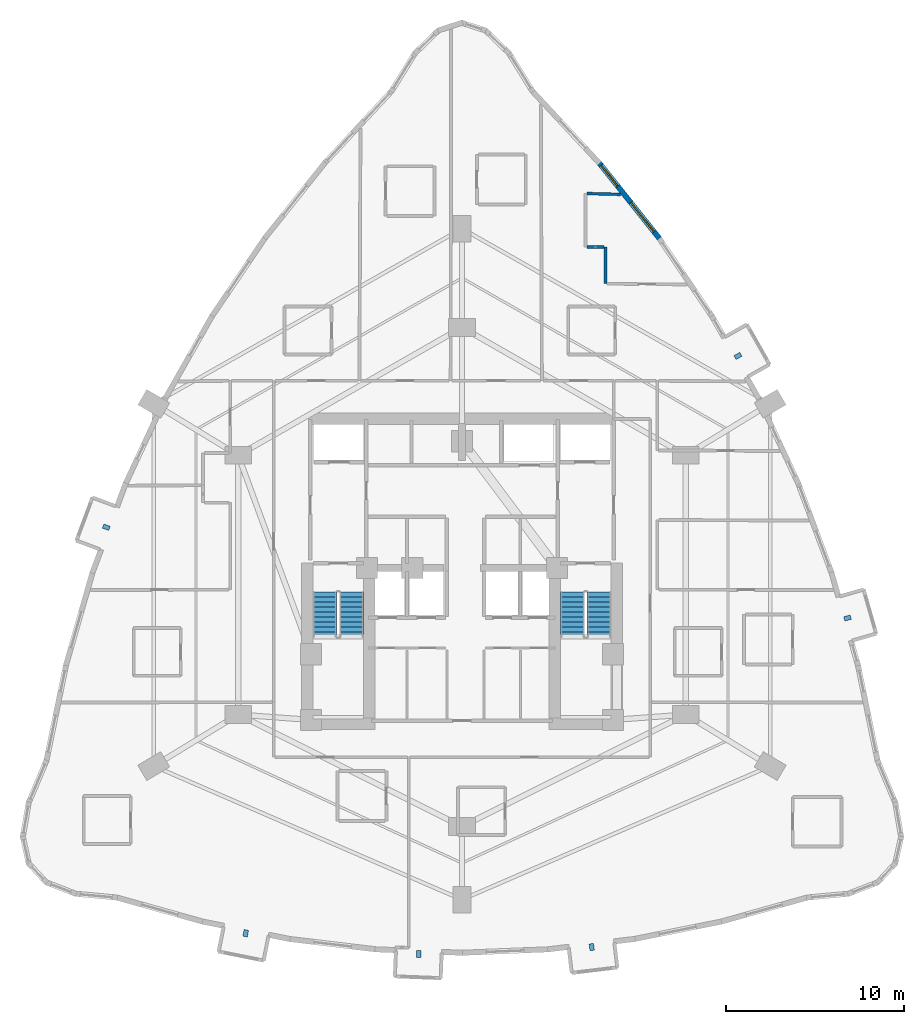
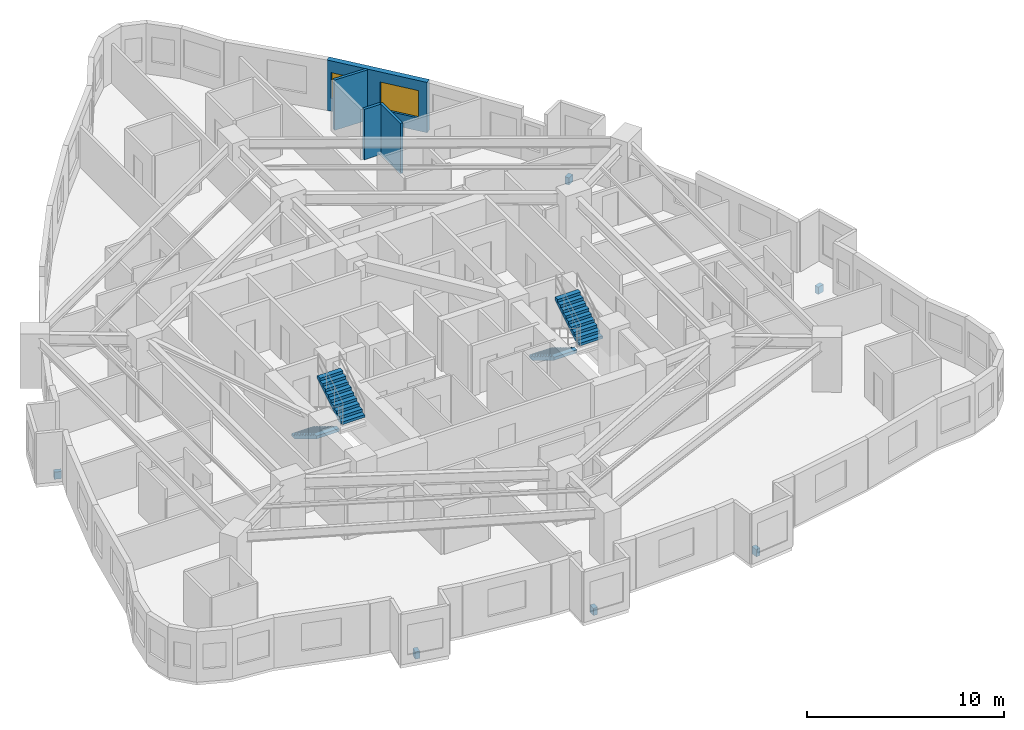
# One storey, part 12 of 13: 6 discrete accessories, 4 stair flights, 4 walls, 2 windows, 2 openings, 2 elements without a shape of their own.
"""IFC4 building model written with IfcOpenShell, lengths in metres."""

import ifcopenshell
import ifcopenshell.guid

model = None  # the IFC model being written
_history = None  # IfcOwnerHistory: only IFC2X3 demands one
_inside = {}  # id of a spatial element -> (the spatial element, [elements in it])
_under = {}  # id of a project, library or spatial element -> (it, [spatial elements below it])
_declared = {}  # id of a project -> (the project, [libraries it declares])
_typed = {}  # id of a type object -> (the type object, [elements of that type])
_made_of = {}  # id of a material, layer set ... -> (it, [elements and type objects made of it])


def new_model(schema):
    """Start an empty IFC model of exactly this schema.

    Asked for "IFC4X3", IfcOpenShell would pick the latest addendum, in which some entities
    have other attributes; the version numbers below select the first issue.
    IFC2X3 requires an IfcOwnerHistory on every rooted entity: one is made here for all.
    """
    global model, _history
    if schema == "IFC4X3":
        model = ifcopenshell.file(schema_version=(4, 3, 0, 0))
    else:
        model = ifcopenshell.file(schema=schema)
    _inside.clear()
    _under.clear()
    _declared.clear()
    _typed.clear()
    _made_of.clear()
    _history = None
    if model.schema == "IFC2X3":
        org = make("IfcOrganization", Name="unknown")
        user = make(
            "IfcPersonAndOrganization",
            ThePerson=make("IfcPerson", FamilyName="unknown"),
            TheOrganization=org,
        )
        app = make(
            "IfcApplication",
            ApplicationDeveloper=org,
            Version="unknown",
            ApplicationFullName="unknown",
            ApplicationIdentifier="unknown",
        )
        _history = make(
            "IfcOwnerHistory",
            OwningUser=user,
            OwningApplication=app,
            ChangeAction="ADDED",
            CreationDate=0,
        )
    return model


def make(cls, **values):
    """One entity of the class cls with the attributes given. An attribute that is None is left unset."""
    return model.create_entity(
        cls, **{name: value for name, value in values.items() if value is not None}
    )


def rooted(cls, **values):
    """An entity with a GlobalId (a new one), such as an element, a storey or a relation."""
    return make(cls, GlobalId=ifcopenshell.guid.new(), OwnerHistory=_history, **values)


def si_unit(unit_type, name, prefix=None):
    """IfcSIUnit, for example si_unit("LENGTHUNIT", "METRE", prefix="MILLI")."""
    return make("IfcSIUnit", UnitType=unit_type, Prefix=prefix, Name=name)


def assignment(units):
    """IfcUnitAssignment: the units of a project."""
    return None if units is None else make("IfcUnitAssignment", Units=units)


def point(xyz):
    """IfcCartesianPoint."""
    return None if xyz is None else make("IfcCartesianPoint", Coordinates=xyz)


def direction(xyz):
    """IfcDirection."""
    return None if xyz is None else make("IfcDirection", DirectionRatios=xyz)


def frame(location, z_axis=None, x_axis=None):
    """IfcAxis2Placement3D, a coordinate frame: its origin and axes. An axis left out is left unset."""
    return make(
        "IfcAxis2Placement3D",
        Location=point(location),
        Axis=direction(z_axis),
        RefDirection=direction(x_axis),
    )


def frame_2d(location, x_axis=None):
    """IfcAxis2Placement2D, a coordinate frame in the plane: its origin and x axis."""
    return make(
        "IfcAxis2Placement2D", Location=point(location), RefDirection=direction(x_axis)
    )


def origin():
    """The frame at (0, 0, 0) with its axes left unset."""
    return frame((0.0, 0.0, 0.0))


def origin_2d():
    """The frame at (0, 0) in the plane with its x axis left unset."""
    return frame_2d((0.0, 0.0))


def place(relative_to, where):
    """IfcLocalPlacement: puts the frame where relative to a parent placement (None: the world)."""
    return make(
        "IfcLocalPlacement", PlacementRelTo=relative_to, RelativePlacement=where
    )


def context(
    kind, dimensions, precision=None, world=None, true_north=None, identifier=None
):
    """IfcGeometricRepresentationContext, for example the 3D "Model" context."""
    return make(
        "IfcGeometricRepresentationContext",
        ContextIdentifier=identifier,
        ContextType=kind,
        CoordinateSpaceDimension=dimensions,
        Precision=precision,
        WorldCoordinateSystem=world,
        TrueNorth=true_north,
    )


def subcontext(parent, identifier, kind, view, scale=None):
    """IfcGeometricRepresentationSubContext, for example "Body" below "Model"."""
    return make(
        "IfcGeometricRepresentationSubContext",
        ContextIdentifier=identifier,
        ContextType=kind,
        ParentContext=parent,
        TargetScale=scale,
        TargetView=view,
    )


def project(units=None, contexts=None):
    """IfcProject with its units and contexts."""
    return rooted(
        "IfcProject",
        Name="project",
        RepresentationContexts=contexts,
        UnitsInContext=assignment(units),
    )


def spatial(cls, under=None, at=None, **own):
    """A site, building, storey or space (cls), placed at a placement, below another one or the project."""
    s = rooted(cls, ObjectPlacement=at, **own)
    if under is not None:
        _under.setdefault(under.id(), (under, []))[1].append(s)
    return s


def polyline(points):
    """IfcPolyline through the points."""
    return make("IfcPolyline", Points=[point(p) for p in points])


def profile(cls, at=None, kind="AREA", **sizes):
    """A parametric profile (cls). Its sizes go by their IFC names, for example OverallWidth=200.0."""
    return make(cls, ProfileType=kind, Position=at, **sizes)


def rectangle(**sizes):
    """IfcRectangleProfileDef."""
    return profile("IfcRectangleProfileDef", **sizes)


def outline(outer, holes=None, kind="AREA"):
    """IfcArbitraryClosedProfileDef: a profile drawn as a closed curve; with holes, ...WithVoids."""
    if holes is None:
        return make("IfcArbitraryClosedProfileDef", ProfileType=kind, OuterCurve=outer)
    return make(
        "IfcArbitraryProfileDefWithVoids",
        ProfileType=kind,
        OuterCurve=outer,
        InnerCurves=holes,
    )


def extrude(swept, where, along, depth):
    """IfcExtrudedAreaSolid: the profile swept, set in the frame where, extruded along a direction by depth."""
    return make(
        "IfcExtrudedAreaSolid",
        SweptArea=swept,
        Position=where,
        ExtrudedDirection=direction(along),
        Depth=depth,
    )


def shape(context_of_items, identifier, shape_type, items):
    """IfcShapeRepresentation: the items that make up one representation, for example the "Body"."""
    return make(
        "IfcShapeRepresentation",
        ContextOfItems=context_of_items,
        RepresentationIdentifier=identifier,
        RepresentationType=shape_type,
        Items=items,
    )


def material(Name=None, Category=None):
    """IfcMaterial."""
    return make("IfcMaterial", Name=Name, Category=Category)


def layer(
    of_material, thickness, ventilated=None, Name=None, Category=None, Priority=None
):
    """IfcMaterialLayer: one layer of a wall or slab, of a material (None: an air gap)."""
    return make(
        "IfcMaterialLayer",
        Material=of_material,
        LayerThickness=thickness,
        IsVentilated=ventilated,
        Name=Name,
        Category=Category,
        Priority=Priority,
    )


def layer_set(layers, Name=None):
    """IfcMaterialLayerSet."""
    return make("IfcMaterialLayerSet", MaterialLayers=layers, LayerSetName=Name)


def made_of(thing, what):
    """Note that an element or type object is made of a material, layer set ...; save() writes the relation."""
    if what is not None:
        _made_of.setdefault(what.id(), (what, []))[1].append(thing)
    return thing


def type_object(cls, material=None, **own):
    """A type object (cls), such as IfcWallType, which elements share."""
    return made_of(rooted(cls, **own), material)


def element(
    cls,
    number,
    at=None,
    inside=None,
    cuts=None,
    type_object=None,
    material=None,
    context=None,
    identifier="Body",
    shape_type=None,
    held_by="IfcProductDefinitionShape",
    body=None,
    shapes=None,
    **own,
):
    """One element of the class cls, such as IfcWall. Its Tag is "e" and its number.

    at: its placement. inside: the storey or other place that contains it. cuts: it is an
    opening in that element (IfcRelVoidsElement). A single representation is given by context,
    identifier, shape_type and body (its items); several are given by shapes. held_by: the class
    of the entity that holds the representations. save() writes the other relations.
    """
    e = rooted(cls, Tag="e%d" % number, ObjectPlacement=at, **own)
    if body is not None:
        shapes = [shape(context, identifier, shape_type, body)]
    if shapes is not None:
        e.Representation = make(held_by, Representations=shapes)
    if inside is not None:
        _inside.setdefault(inside.id(), (inside, []))[1].append(e)
    if cuts is not None:
        rooted(
            "IfcRelVoidsElement", RelatingBuildingElement=cuts, RelatedOpeningElement=e
        )
    if type_object is not None:
        _typed.setdefault(type_object.id(), (type_object, []))[1].append(e)
    return made_of(e, material)


def fill(opening, filler):
    """IfcRelFillsElement: the door or window that sits in an opening."""
    return rooted(
        "IfcRelFillsElement",
        RelatingOpeningElement=opening,
        RelatedBuildingElement=filler,
    )


def aggregate(whole, parts):
    """IfcRelAggregates: a whole, such as a stair, and the parts it consists of."""
    return rooted("IfcRelAggregates", RelatingObject=whole, RelatedObjects=parts)


def save(model, path):
    """Write the relations noted so far, then the file.

    IfcRelAggregates (storeys below a building ...), IfcRelContainedInSpatialStructure (elements
    in a storey), IfcRelDefinesByType, IfcRelAssociatesMaterial and IfcRelDeclares: one each for
    every whole, place, type object, material and project.
    """
    for whole, parts in _under.values():
        aggregate(whole, parts)
    for where, things in _inside.values():
        rooted(
            "IfcRelContainedInSpatialStructure",
            RelatedElements=things,
            RelatingStructure=where,
        )
    for kind, things in _typed.values():
        rooted("IfcRelDefinesByType", RelatedObjects=things, RelatingType=kind)
    for what, things in _made_of.values():
        rooted("IfcRelAssociatesMaterial", RelatedObjects=things, RelatingMaterial=what)
    for by, libraries in _declared.values():
        rooted("IfcRelDeclares", RelatingContext=by, RelatedDefinitions=libraries)
    model.write(path)


model = new_model("IFC4")

# Units and contexts
model_context = context("Model", 3, precision=1e-05, world=origin(), true_north=direction((0.0, 1.0)))
body_context = subcontext(model_context, "Body", "Model", "MODEL_VIEW")
ifc_project = project(units=[si_unit("LENGTHUNIT", "METRE"), si_unit("AREAUNIT", "SQUARE_METRE"), si_unit("VOLUMEUNIT", "CUBIC_METRE"), si_unit("PLANEANGLEUNIT", "RADIAN"), si_unit("MASSUNIT", "GRAM", prefix="KILO")], contexts=[model_context])

# Site, building, storey
site_placement = place(None, origin())
site = spatial("IfcSite", under=ifc_project, at=site_placement, CompositionType="ELEMENT")
building_placement = place(site_placement, origin())
building = spatial("IfcBuilding", under=site, at=building_placement, Name="Miruveldt Soraemaru", CompositionType="ELEMENT")
storey_placement = place(building_placement, frame((0.0, 0.0, 46.199951171875)))
storey = spatial("IfcBuildingStorey", under=building, at=storey_placement, Name="L12", CompositionType="ELEMENT", Elevation=46.199951171875)

# Wall, openings, windows
ifc_material_1 = material(Name="Precast concrete C45/55 (45 MPa)", Category="concrete")
ifc_layer_1 = layer(ifc_material_1, 0.300048828125, Name="Precast concrete C45/55 (45 MPa)", Category="concrete")
ifc_layer_set_1 = layer_set([ifc_layer_1], Name="Precast concrete C45/55 (45 MPa)")
wall_type_1 = type_object("IfcWallType", Name="WALL-EXT-PC300", PredefinedType="SOLIDWALL", material=ifc_layer_set_1)
wall_1_placement = place(storey_placement, frame((55.1162109375, 62.617919921875, 0.0), z_axis=(0.0, 0.0, 1.0), x_axis=(-0.623574647448, 0.781763812836, 0.0)))
wall_1 = element("IfcWall", 1, at=wall_1_placement, inside=storey, type_object=wall_type_1, Name="L12 Precast Concrete Facade Wall 41", PredefinedType="SOLIDWALL", context=body_context, shape_type="SweptSolid", body=[
    extrude(rectangle(XDim=5.477294921875, YDim=0.300048828125, at=frame_2d((2.73876953125, 0.0))), origin(), (0.0, 0.0, 1.0), 3.125),
])
opening_1_placement = place(wall_1_placement, frame((0.47802734375, 0.0, 0.800048828125)))
opening_1 = element("IfcOpeningElement", 2, at=opening_1_placement, cuts=wall_1, Name="Opening WN-1", PredefinedType="OPENING", context=body_context, shape_type="SweptSolid", body=[
    extrude(rectangle(XDim=2.10009765625, YDim=1.699951171875, at=frame_2d((1.050048828125, 0.85009765625))), frame((0.0, 0.16015625, 0.0), z_axis=(0.0, -1.0, 0.0), x_axis=(1.0, 0.0, 0.0)), (0.0, 0.0, 1.0), 0.320068359375),
])
opening_2_placement = place(wall_1_placement, frame((3.756103515625, 0.0, 0.800048828125)))
opening_2 = element("IfcOpeningElement", 3, at=opening_2_placement, cuts=wall_1, Name="Opening WN-3", PredefinedType="OPENING", context=body_context, shape_type="SweptSolid", body=[
    extrude(rectangle(XDim=1.5, YDim=1.60009765625, at=frame_2d((0.75, 0.800048828125))), frame((0.0, 0.16015625, 0.0), z_axis=(0.0, -1.0, 0.0), x_axis=(1.0, 0.0, 0.0)), (0.0, 0.0, 1.0), 0.320068359375),
])
ifc_material_2 = material(Name="Triple low-e insulated glazing", Category="glass")
window_type_1 = type_object("IfcWindowType", Name="WIN-PUNCH-1500x1600", PartitioningType="SINGLE_PANEL", PredefinedType="WINDOW", material=ifc_material_2)
window_1_placement = place(opening_2_placement, origin())
window_1 = element("IfcWindow", 4, at=window_1_placement, inside=storey, type_object=window_type_1, Name="L12 Punched Triple-Glazed Window 41.2", OverallHeight=1.60009765625, OverallWidth=1.5, PartitioningType="SINGLE_PANEL", PredefinedType="WINDOW", context=body_context, shape_type="SweptSolid", body=[
    extrude(rectangle(XDim=1.5, YDim=1.60009765625, at=frame_2d((0.75, 0.800048828125))), frame((0.0, 0.030029296875, 0.0), z_axis=(0.0, -1.0, 0.0), x_axis=(1.0, 0.0, 0.0)), (0.0, 0.0, 1.0), 0.06005859375),
])
fill(opening_2, window_1)
window_type_2 = type_object("IfcWindowType", Name="WIN-PUNCH-2100x1700", PartitioningType="SINGLE_PANEL", PredefinedType="WINDOW", material=ifc_material_2)
window_2_placement = place(opening_1_placement, origin())
window_2 = element("IfcWindow", 5, at=window_2_placement, inside=storey, type_object=window_type_2, Name="L12 Punched Triple-Glazed Window 41.1", OverallHeight=1.699951171875, OverallWidth=2.10009765625, PartitioningType="SINGLE_PANEL", PredefinedType="WINDOW", context=body_context, shape_type="SweptSolid", body=[
    extrude(rectangle(XDim=2.10009765625, YDim=1.699951171875, at=frame_2d((1.050048828125, 0.85009765625))), frame((0.0, 0.030029296875, 0.0), z_axis=(0.0, -1.0, 0.0), x_axis=(1.0, 0.0, 0.0)), (0.0, 0.0, 1.0), 0.06005859375),
])
fill(opening_1, window_2)

# Walls
ifc_material_3 = material(Name="Concrete C40/50 (40 MPa)", Category="concrete")
ifc_layer_2 = layer(ifc_material_3, 0.159912109375, Name="Concrete C40/50 (40 MPa)", Category="concrete")
ifc_layer_set_2 = layer_set([ifc_layer_2], Name="Concrete C40/50 (40 MPa)")
wall_type_2 = type_object("IfcWallType", Name="WALL-INT-RC160", PredefinedType="SOLIDWALL", material=ifc_layer_set_2)
wall_2_placement = place(storey_placement, frame((52.080078125, 60.06689453125, 0.0), z_axis=(0.0, 0.0, 1.0), x_axis=(0.0, 1.0, 0.0)))
element("IfcWall", 6, at=wall_2_placement, inside=storey, type_object=wall_type_2, Name="L12 Partition Wall 35", PredefinedType="SOLIDWALL", context=body_context, shape_type="SweptSolid", body=[
    extrude(rectangle(XDim=2.06298828125, YDim=0.159912109375, at=frame_2d((1.031494140625, 0.0))), origin(), (0.0, 0.0, 1.0), 3.125),
])
wall_3_placement = place(storey_placement, frame((51.030029296875, 65.14208984375, 0.0), z_axis=(0.0, 0.0, 1.0), x_axis=(0.999640750429, -0.026802426791, 0.0)))
element("IfcWall", 7, at=wall_3_placement, inside=storey, type_object=wall_type_2, Name="L12 Partition Wall 38", PredefinedType="SOLIDWALL", context=body_context, shape_type="SweptSolid", body=[
    extrude(rectangle(XDim=1.90380859375, YDim=0.159912109375, at=frame_2d((0.951904296875, 0.0))), origin(), (0.0, 0.0, 1.0), 3.125),
])
wall_4_placement = place(storey_placement, frame((52.0, 62.1298828125, 0.0), z_axis=(0.0, 0.0, 1.0), x_axis=(-1.0, 0.0, 0.0)))
element("IfcWall", 8, at=wall_4_placement, inside=storey, type_object=wall_type_2, Name="L12 Partition Wall 36", PredefinedType="SOLIDWALL", context=body_context, shape_type="SweptSolid", body=[
    extrude(rectangle(XDim=0.969970703125, YDim=0.159912109375, at=frame_2d((0.48486328125, 0.0))), origin(), (0.0, 0.0, 1.0), 3.125),
])

# Stair, stair flights
stair_type = type_object("IfcStairType", Name="STAIR-DL-340", PredefinedType="HALF_TURN_STAIR", material=ifc_material_3)
stair_1_placement = place(storey_placement, origin())
stair_1 = element("IfcStair", 9, at=stair_1_placement, inside=storey, type_object=stair_type, Name="L12 Protected Exit Stair ST-1", PredefinedType="HALF_TURN_STAIR")
stair_flight_type = type_object("IfcStairFlightType", Name="SFL-DL-340", PredefinedType="STRAIGHT", material=ifc_material_3)
stair_flight_1_placement = place(storey_placement, frame((36.27490234375, 42.699951171875, 0.0), z_axis=(0.0, 0.0, 1.0), x_axis=(0.0, -1.0, 0.0)))
stair_flight_1 = element("IfcStairFlight", 10, at=stair_flight_1_placement, type_object=stair_flight_type, Name="ST-1 flight 1", NumberOfRisers=10, NumberOfTreads=9, PredefinedType="STRAIGHT", RiserHeight=0.17, TreadLength=0.28, context=body_context, shape_type="SweptSolid", body=[
    extrude(outline(polyline([(0.0, 0.0), (0.0, 0.169921875), (0.280029296875, 0.169921875), (0.280029296875, 0.340087890625), (0.56005859375, 0.340087890625), (0.56005859375, 0.510009765625), (0.840087890625, 0.510009765625), (0.840087890625, 0.679931640625), (1.1201171875, 0.679931640625), (1.1201171875, 0.85009765625), (1.39990234375, 0.85009765625), (1.39990234375, 1.02001953125), (1.679931640625, 1.02001953125), (1.679931640625, 1.18994140625), (1.9599609375, 1.18994140625), (1.9599609375, 1.360107421875), (2.239990234375, 1.360107421875), (2.239990234375, 1.530029296875), (2.52001953125, 1.530029296875), (2.52001953125, 1.699951171875), (2.52001953125, 1.343017578125), (0.30810546875, 0.0), (0.0, 0.0)])), frame((0.0, 0.675048828125, 0.0), z_axis=(0.0, -1.0, 0.0), x_axis=(1.0, 0.0, 0.0)), (0.0, 0.0, 1.0), 1.35009765625),
])
stair_flight_2_placement = place(storey_placement, frame((37.77490234375, 40.179931640625, 1.699951171875), z_axis=(0.0, 0.0, 1.0), x_axis=(0.0, 1.0, 0.0)))
stair_flight_2 = element("IfcStairFlight", 11, at=stair_flight_2_placement, type_object=stair_flight_type, Name="ST-1 flight 2", NumberOfRisers=10, NumberOfTreads=9, PredefinedType="STRAIGHT", RiserHeight=0.17, TreadLength=0.28, context=body_context, shape_type="SweptSolid", body=[
    extrude(outline(polyline([(0.0, 0.0), (0.0, 0.169921875), (0.280029296875, 0.169921875), (0.280029296875, 0.340087890625), (0.56005859375, 0.340087890625), (0.56005859375, 0.510009765625), (0.840087890625, 0.510009765625), (0.840087890625, 0.679931640625), (1.1201171875, 0.679931640625), (1.1201171875, 0.85009765625), (1.39990234375, 0.85009765625), (1.39990234375, 1.02001953125), (1.679931640625, 1.02001953125), (1.679931640625, 1.18994140625), (1.9599609375, 1.18994140625), (1.9599609375, 1.360107421875), (2.239990234375, 1.360107421875), (2.239990234375, 1.530029296875), (2.52001953125, 1.530029296875), (2.52001953125, 1.699951171875), (2.52001953125, 1.343017578125), (0.30810546875, 0.0), (0.0, 0.0)])), frame((0.0, 0.675048828125, 0.0), z_axis=(0.0, -1.0, 0.0), x_axis=(1.0, 0.0, 0.0)), (0.0, 0.0, 1.0), 1.35009765625),
])
aggregate(stair_1, [stair_flight_1, stair_flight_2])

stair_2_placement = place(storey_placement, origin())
stair_2 = element("IfcStair", 12, at=stair_2_placement, inside=storey, type_object=stair_type, Name="L12 Protected Exit Stair ST-2", PredefinedType="HALF_TURN_STAIR")
stair_flight_3_placement = place(storey_placement, frame((50.22509765625, 42.699951171875, 0.0), z_axis=(0.0, 0.0, 1.0), x_axis=(0.0, -1.0, 0.0)))
stair_flight_3 = element("IfcStairFlight", 13, at=stair_flight_3_placement, type_object=stair_flight_type, Name="ST-2 flight 1", NumberOfRisers=10, NumberOfTreads=9, PredefinedType="STRAIGHT", RiserHeight=0.17, TreadLength=0.28, context=body_context, shape_type="SweptSolid", body=[
    extrude(outline(polyline([(0.0, 0.0), (0.0, 0.169921875), (0.280029296875, 0.169921875), (0.280029296875, 0.340087890625), (0.56005859375, 0.340087890625), (0.56005859375, 0.510009765625), (0.840087890625, 0.510009765625), (0.840087890625, 0.679931640625), (1.1201171875, 0.679931640625), (1.1201171875, 0.85009765625), (1.39990234375, 0.85009765625), (1.39990234375, 1.02001953125), (1.679931640625, 1.02001953125), (1.679931640625, 1.18994140625), (1.9599609375, 1.18994140625), (1.9599609375, 1.360107421875), (2.239990234375, 1.360107421875), (2.239990234375, 1.530029296875), (2.52001953125, 1.530029296875), (2.52001953125, 1.699951171875), (2.52001953125, 1.343017578125), (0.30810546875, 0.0), (0.0, 0.0)])), frame((0.0, 0.675048828125, 0.0), z_axis=(0.0, -1.0, 0.0), x_axis=(1.0, 0.0, 0.0)), (0.0, 0.0, 1.0), 1.35009765625),
])
stair_flight_4_placement = place(storey_placement, frame((51.72509765625, 40.179931640625, 1.699951171875), z_axis=(0.0, 0.0, 1.0), x_axis=(0.0, 1.0, 0.0)))
stair_flight_4 = element("IfcStairFlight", 14, at=stair_flight_4_placement, type_object=stair_flight_type, Name="ST-2 flight 2", NumberOfRisers=10, NumberOfTreads=9, PredefinedType="STRAIGHT", RiserHeight=0.17, TreadLength=0.28, context=body_context, shape_type="SweptSolid", body=[
    extrude(outline(polyline([(0.0, 0.0), (0.0, 0.169921875), (0.280029296875, 0.169921875), (0.280029296875, 0.340087890625), (0.56005859375, 0.340087890625), (0.56005859375, 0.510009765625), (0.840087890625, 0.510009765625), (0.840087890625, 0.679931640625), (1.1201171875, 0.679931640625), (1.1201171875, 0.85009765625), (1.39990234375, 0.85009765625), (1.39990234375, 1.02001953125), (1.679931640625, 1.02001953125), (1.679931640625, 1.18994140625), (1.9599609375, 1.18994140625), (1.9599609375, 1.360107421875), (2.239990234375, 1.360107421875), (2.239990234375, 1.530029296875), (2.52001953125, 1.530029296875), (2.52001953125, 1.699951171875), (2.52001953125, 1.343017578125), (0.30810546875, 0.0), (0.0, 0.0)])), frame((0.0, 0.675048828125, 0.0), z_axis=(0.0, -1.0, 0.0), x_axis=(1.0, 0.0, 0.0)), (0.0, 0.0, 1.0), 1.35009765625),
])
aggregate(stair_2, [stair_flight_3, stair_flight_4])

# Discrete accessories
ifc_material_4 = material(Name="Steel SM355 (355 MPa)", Category="steel")
discrete_accessory_type = type_object("IfcDiscreteAccessoryType", Name="ACC-BAY-BRK", PredefinedType="BRACKET", material=ifc_material_4)
for number, where, z_axis, x_axis, name in (
    (15, (23.969482421875, 46.3515625, -0.7197265625), (0.0, 0.0, 1.0), (-0.937105441274, 0.349046403698, 0.0), "L12 Bay Window Cantilever Bracket 1"),
    (16, (31.821044921875, 23.490234375, -0.7197265625), (0.0, 0.0, 1.0), (-0.196117290802, -0.980580444557, 0.0), "L12 Bay Window Cantilever Bracket 2"),
    (17, (41.564208984375, 22.321044921875, -0.7197265625), (0.0, 0.0, 1.0), (-0.03997483895, -0.999200686675, 0.0), "L12 Bay Window Cantilever Bracket 3"),
    (18, (51.3076171875, 22.710693359375, -0.7197265625), (0.0, 0.0, 1.0), (0.119149147143, -0.992876367296, 0.0), "L12 Bay Window Cantilever Bracket 4"),
    (19, (65.7099609375, 41.23779296875, -0.7197265625), (0.0, 0.0, 1.0), (0.961453892845, 0.274966201438, 0.0), "L12 Bay Window Cantilever Bracket 5"),
    (20, (59.537841796875, 55.9951171875, -0.7197265625), (0.0, 0.0, 1.0), (0.869830943614, 0.493349905778, 0.0), "L12 Bay Window Cantilever Bracket 6"),
):
    element("IfcDiscreteAccessory", number, at=place(storey_placement, frame(where, z_axis=z_axis, x_axis=x_axis)), inside=storey, type_object=discrete_accessory_type, Name=name, PredefinedType="BRACKET", context=body_context, shape_type="SweptSolid", body=[
        extrude(rectangle(XDim=0.3798828125, YDim=0.25, at=origin_2d()), origin(), (0.0, 0.0, 1.0), 0.449951171875),
    ])

save(model, "model.ifc")
